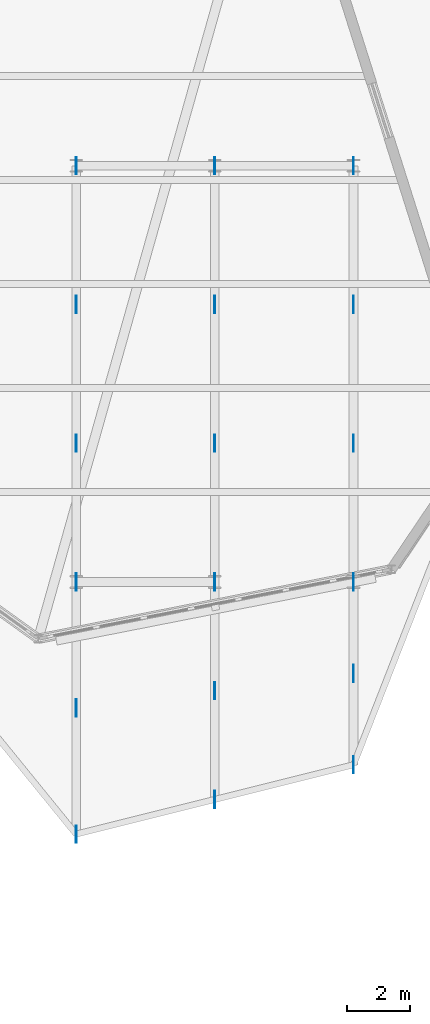
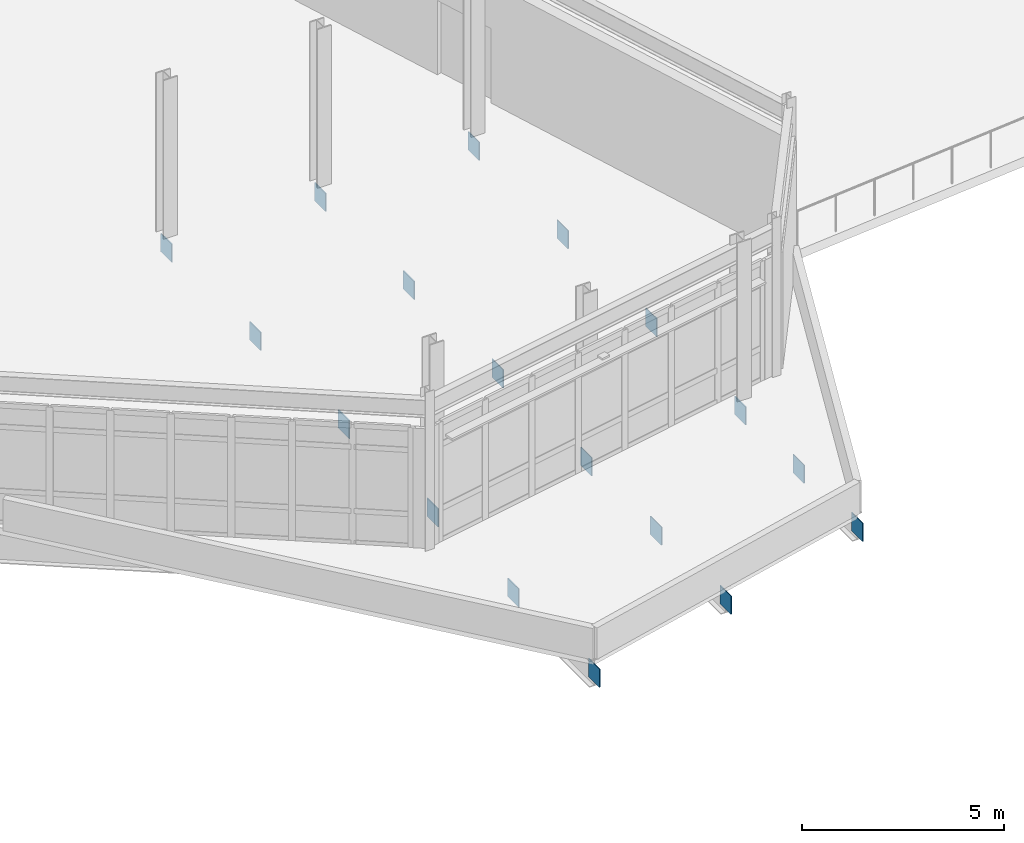
# One storey, part 56 of 76: 18 plates.
"""IFC4 building model written with IfcOpenShell, lengths in metres."""

import ifcopenshell
import ifcopenshell.guid

model = None  # the IFC model being written
_history = None  # IfcOwnerHistory: only IFC2X3 demands one
_inside = {}  # id of a spatial element -> (the spatial element, [elements in it])
_under = {}  # id of a project, library or spatial element -> (it, [spatial elements below it])
_declared = {}  # id of a project -> (the project, [libraries it declares])
_typed = {}  # id of a type object -> (the type object, [elements of that type])
_made_of = {}  # id of a material, layer set ... -> (it, [elements and type objects made of it])


def new_model(schema):
    """Start an empty IFC model of exactly this schema.

    Asked for "IFC4X3", IfcOpenShell would pick the latest addendum, in which some entities
    have other attributes; the version numbers below select the first issue.
    IFC2X3 requires an IfcOwnerHistory on every rooted entity: one is made here for all.
    """
    global model, _history
    if schema == "IFC4X3":
        model = ifcopenshell.file(schema_version=(4, 3, 0, 0))
    else:
        model = ifcopenshell.file(schema=schema)
    _inside.clear()
    _under.clear()
    _declared.clear()
    _typed.clear()
    _made_of.clear()
    _history = None
    if model.schema == "IFC2X3":
        org = make("IfcOrganization", Name="unknown")
        user = make(
            "IfcPersonAndOrganization",
            ThePerson=make("IfcPerson", FamilyName="unknown"),
            TheOrganization=org,
        )
        app = make(
            "IfcApplication",
            ApplicationDeveloper=org,
            Version="unknown",
            ApplicationFullName="unknown",
            ApplicationIdentifier="unknown",
        )
        _history = make(
            "IfcOwnerHistory",
            OwningUser=user,
            OwningApplication=app,
            ChangeAction="ADDED",
            CreationDate=0,
        )
    return model


def make(cls, **values):
    """One entity of the class cls with the attributes given. An attribute that is None is left unset."""
    return model.create_entity(
        cls, **{name: value for name, value in values.items() if value is not None}
    )


def rooted(cls, **values):
    """An entity with a GlobalId (a new one), such as an element, a storey or a relation."""
    return make(cls, GlobalId=ifcopenshell.guid.new(), OwnerHistory=_history, **values)


def si_unit(unit_type, name, prefix=None):
    """IfcSIUnit, for example si_unit("LENGTHUNIT", "METRE", prefix="MILLI")."""
    return make("IfcSIUnit", UnitType=unit_type, Prefix=prefix, Name=name)


def assignment(units):
    """IfcUnitAssignment: the units of a project."""
    return None if units is None else make("IfcUnitAssignment", Units=units)


def point(xyz):
    """IfcCartesianPoint."""
    return None if xyz is None else make("IfcCartesianPoint", Coordinates=xyz)


def direction(xyz):
    """IfcDirection."""
    return None if xyz is None else make("IfcDirection", DirectionRatios=xyz)


def frame(location, z_axis=None, x_axis=None):
    """IfcAxis2Placement3D, a coordinate frame: its origin and axes. An axis left out is left unset."""
    return make(
        "IfcAxis2Placement3D",
        Location=point(location),
        Axis=direction(z_axis),
        RefDirection=direction(x_axis),
    )


def frame_2d(location, x_axis=None):
    """IfcAxis2Placement2D, a coordinate frame in the plane: its origin and x axis."""
    return make(
        "IfcAxis2Placement2D", Location=point(location), RefDirection=direction(x_axis)
    )


def origin():
    """The frame at (0, 0, 0) with its axes left unset."""
    return frame((0.0, 0.0, 0.0))


def origin_2d():
    """The frame at (0, 0) in the plane with its x axis left unset."""
    return frame_2d((0.0, 0.0))


def place(relative_to, where):
    """IfcLocalPlacement: puts the frame where relative to a parent placement (None: the world)."""
    return make(
        "IfcLocalPlacement", PlacementRelTo=relative_to, RelativePlacement=where
    )


def context(
    kind, dimensions, precision=None, world=None, true_north=None, identifier=None
):
    """IfcGeometricRepresentationContext, for example the 3D "Model" context."""
    return make(
        "IfcGeometricRepresentationContext",
        ContextIdentifier=identifier,
        ContextType=kind,
        CoordinateSpaceDimension=dimensions,
        Precision=precision,
        WorldCoordinateSystem=world,
        TrueNorth=true_north,
    )


def subcontext(parent, identifier, kind, view, scale=None):
    """IfcGeometricRepresentationSubContext, for example "Body" below "Model"."""
    return make(
        "IfcGeometricRepresentationSubContext",
        ContextIdentifier=identifier,
        ContextType=kind,
        ParentContext=parent,
        TargetScale=scale,
        TargetView=view,
    )


def project(units=None, contexts=None):
    """IfcProject with its units and contexts."""
    return rooted(
        "IfcProject",
        Name="project",
        RepresentationContexts=contexts,
        UnitsInContext=assignment(units),
    )


def spatial(cls, under=None, at=None, **own):
    """A site, building, storey or space (cls), placed at a placement, below another one or the project."""
    s = rooted(cls, ObjectPlacement=at, **own)
    if under is not None:
        _under.setdefault(under.id(), (under, []))[1].append(s)
    return s


def profile(cls, at=None, kind="AREA", **sizes):
    """A parametric profile (cls). Its sizes go by their IFC names, for example OverallWidth=200.0."""
    return make(cls, ProfileType=kind, Position=at, **sizes)


def rectangle(**sizes):
    """IfcRectangleProfileDef."""
    return profile("IfcRectangleProfileDef", **sizes)


def extrude(swept, where, along, depth):
    """IfcExtrudedAreaSolid: the profile swept, set in the frame where, extruded along a direction by depth."""
    return make(
        "IfcExtrudedAreaSolid",
        SweptArea=swept,
        Position=where,
        ExtrudedDirection=direction(along),
        Depth=depth,
    )


def shape(context_of_items, identifier, shape_type, items):
    """IfcShapeRepresentation: the items that make up one representation, for example the "Body"."""
    return make(
        "IfcShapeRepresentation",
        ContextOfItems=context_of_items,
        RepresentationIdentifier=identifier,
        RepresentationType=shape_type,
        Items=items,
    )


def material(Name=None, Category=None):
    """IfcMaterial."""
    return make("IfcMaterial", Name=Name, Category=Category)


def layer(
    of_material, thickness, ventilated=None, Name=None, Category=None, Priority=None
):
    """IfcMaterialLayer: one layer of a wall or slab, of a material (None: an air gap)."""
    return make(
        "IfcMaterialLayer",
        Material=of_material,
        LayerThickness=thickness,
        IsVentilated=ventilated,
        Name=Name,
        Category=Category,
        Priority=Priority,
    )


def layer_set(layers, Name=None):
    """IfcMaterialLayerSet."""
    return make("IfcMaterialLayerSet", MaterialLayers=layers, LayerSetName=Name)


def made_of(thing, what):
    """Note that an element or type object is made of a material, layer set ...; save() writes the relation."""
    if what is not None:
        _made_of.setdefault(what.id(), (what, []))[1].append(thing)
    return thing


def type_object(cls, material=None, **own):
    """A type object (cls), such as IfcWallType, which elements share."""
    return made_of(rooted(cls, **own), material)


def element(
    cls,
    number,
    at=None,
    inside=None,
    cuts=None,
    type_object=None,
    material=None,
    context=None,
    identifier="Body",
    shape_type=None,
    held_by="IfcProductDefinitionShape",
    body=None,
    shapes=None,
    **own,
):
    """One element of the class cls, such as IfcWall. Its Tag is "e" and its number.

    at: its placement. inside: the storey or other place that contains it. cuts: it is an
    opening in that element (IfcRelVoidsElement). A single representation is given by context,
    identifier, shape_type and body (its items); several are given by shapes. held_by: the class
    of the entity that holds the representations. save() writes the other relations.
    """
    e = rooted(cls, Tag="e%d" % number, ObjectPlacement=at, **own)
    if body is not None:
        shapes = [shape(context, identifier, shape_type, body)]
    if shapes is not None:
        e.Representation = make(held_by, Representations=shapes)
    if inside is not None:
        _inside.setdefault(inside.id(), (inside, []))[1].append(e)
    if cuts is not None:
        rooted(
            "IfcRelVoidsElement", RelatingBuildingElement=cuts, RelatedOpeningElement=e
        )
    if type_object is not None:
        _typed.setdefault(type_object.id(), (type_object, []))[1].append(e)
    return made_of(e, material)


def aggregate(whole, parts):
    """IfcRelAggregates: a whole, such as a stair, and the parts it consists of."""
    return rooted("IfcRelAggregates", RelatingObject=whole, RelatedObjects=parts)


def save(model, path):
    """Write the relations noted so far, then the file.

    IfcRelAggregates (storeys below a building ...), IfcRelContainedInSpatialStructure (elements
    in a storey), IfcRelDefinesByType, IfcRelAssociatesMaterial and IfcRelDeclares: one each for
    every whole, place, type object, material and project.
    """
    for whole, parts in _under.values():
        aggregate(whole, parts)
    for where, things in _inside.values():
        rooted(
            "IfcRelContainedInSpatialStructure",
            RelatedElements=things,
            RelatingStructure=where,
        )
    for kind, things in _typed.values():
        rooted("IfcRelDefinesByType", RelatedObjects=things, RelatingType=kind)
    for what, things in _made_of.values():
        rooted("IfcRelAssociatesMaterial", RelatedObjects=things, RelatingMaterial=what)
    for by, libraries in _declared.values():
        rooted("IfcRelDeclares", RelatingContext=by, RelatedDefinitions=libraries)
    model.write(path)


model = new_model("IFC4")

# Units and contexts
model_context = context("Model", 3, precision=1e-05, world=origin(), true_north=direction((0.0, 1.0)))
body_context = subcontext(model_context, "Body", "Model", "MODEL_VIEW")
ifc_project = project(units=[si_unit("LENGTHUNIT", "METRE"), si_unit("AREAUNIT", "SQUARE_METRE"), si_unit("VOLUMEUNIT", "CUBIC_METRE"), si_unit("PLANEANGLEUNIT", "RADIAN"), si_unit("MASSUNIT", "GRAM", prefix="KILO")], contexts=[model_context])

# Site, building, storey
site_placement = place(None, origin())
site = spatial("IfcSite", under=ifc_project, at=site_placement, CompositionType="ELEMENT")
building_placement = place(site_placement, origin())
building = spatial("IfcBuilding", under=site, at=building_placement, Name="Tameran Prism Museum", CompositionType="ELEMENT")
storey_placement = place(building_placement, frame((0.0, 0.0, 15.0)))
storey = spatial("IfcBuildingStorey", under=building, at=storey_placement, Name="L03", CompositionType="ELEMENT", Elevation=15.0)

# Plates
ifc_material = material(Name="Steel Grade 350 (350 MPa)", Category="steel")
ifc_layer = layer(ifc_material, 0.028076171875)
ifc_layer_set = layer_set([ifc_layer])
plate_type = type_object("IfcPlateType", Name="PL-GUS-28", PredefinedType="USERDEFINED", material=ifc_layer_set)
for number, where, z_axis, x_axis, name in (
    (1, (131.10009765625, 30.699951171875, -0.72509765625), (0.0, 0.0, 1.0), (1.0, 0.0, 0.0), "Transfer Truss Gusset GP-0176"),
    (2, (131.10009765625, 26.300048828125, -0.72509765625), (0.0, 0.0, 1.0), (1.0, 0.0, 0.0), "Transfer Truss Gusset GP-0178"),
    (3, (131.10009765625, 21.89990234375, -0.72509765625), (0.0, 0.0, 1.0), (1.0, 0.0, 0.0), "Transfer Truss Gusset GP-0180"),
    (4, (131.10009765625, 17.5, -0.72509765625), (0.0, 0.0, 1.0), (1.0, 0.0, 0.0), "Transfer Truss Gusset GP-0182"),
    (5, (131.10009765625, 13.5, -0.72509765625), (0.0, 0.0, 1.0), (1.0, 0.0, 0.0), "Transfer Truss Gusset GP-0184"),
    (6, (131.10009765625, 9.5, -0.72509765625), (0.0, 0.0, 1.0), (1.0, 0.0, 0.0), "Transfer Truss Gusset GP-0186"),
    (7, (135.5, 30.699951171875, -0.72509765625), (0.0, 0.0, 1.0), (1.0, 0.0, 0.0), "Transfer Truss Gusset GP-0188"),
    (8, (135.5, 26.300048828125, -0.72509765625), (0.0, 0.0, 1.0), (1.0, 0.0, 0.0), "Transfer Truss Gusset GP-0190"),
    (9, (135.5, 21.89990234375, -0.72509765625), (0.0, 0.0, 1.0), (1.0, 0.0, 0.0), "Transfer Truss Gusset GP-0192"),
    (10, (135.5, 17.5, -0.72509765625), (0.0, 0.0, 1.0), (1.0, 0.0, 0.0), "Transfer Truss Gusset GP-0194"),
    (11, (135.5, 14.050048828125, -0.72509765625), (0.0, 0.0, 1.0), (1.0, 0.0, 0.0), "Transfer Truss Gusset GP-0196"),
    (12, (135.5, 10.60009765625, -0.72509765625), (0.0, 0.0, 1.0), (1.0, 0.0, 0.0), "Transfer Truss Gusset GP-0198"),
    (13, (139.89990234375, 30.699951171875, -0.72509765625), (0.0, 0.0, 1.0), (1.0, 0.0, 0.0), "Transfer Truss Gusset GP-0200"),
    (14, (139.89990234375, 26.300048828125, -0.72509765625), (0.0, 0.0, 1.0), (1.0, 0.0, 0.0), "Transfer Truss Gusset GP-0202"),
    (15, (139.89990234375, 21.89990234375, -0.72509765625), (0.0, 0.0, 1.0), (1.0, 0.0, 0.0), "Transfer Truss Gusset GP-0204"),
    (16, (139.89990234375, 17.5, -0.72509765625), (0.0, 0.0, 1.0), (1.0, 0.0, 0.0), "Transfer Truss Gusset GP-0206"),
    (17, (139.89990234375, 14.60009765625, -0.72509765625), (0.0, 0.0, 1.0), (1.0, 0.0, 0.0), "Transfer Truss Gusset GP-0208"),
    (18, (139.89990234375, 11.699951171875, -0.72509765625), (0.0, 0.0, 1.0), (1.0, 0.0, 0.0), "Transfer Truss Gusset GP-0210"),
):
    element("IfcPlate", number, at=place(storey_placement, frame(where, z_axis=z_axis, x_axis=x_axis)), inside=storey, type_object=plate_type, Name=name, ObjectType="GUSSET PLATE", PredefinedType="USERDEFINED", context=body_context, shape_type="SweptSolid", body=[
        extrude(rectangle(XDim=0.028076171875, YDim=0.550048828125, at=origin_2d()), origin(), (0.0, 0.0, 1.0), 0.550048828125),
    ])

save(model, "model.ifc")
